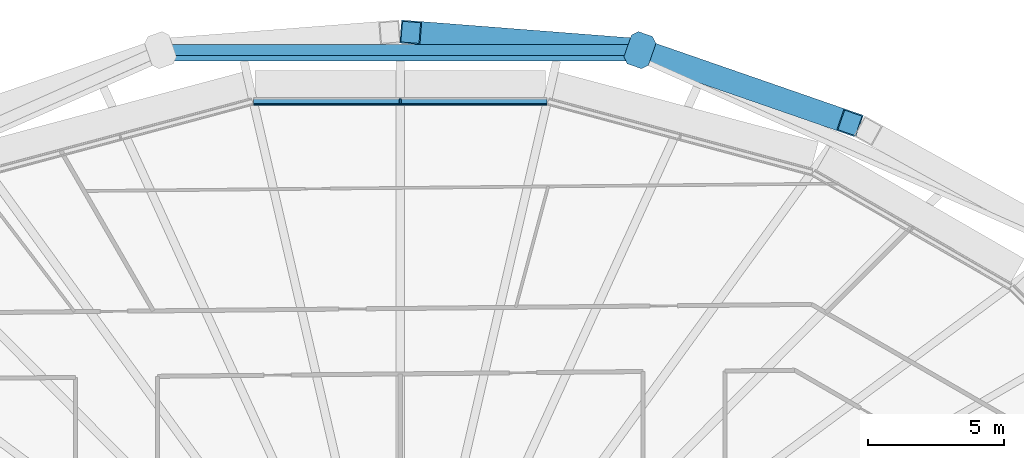
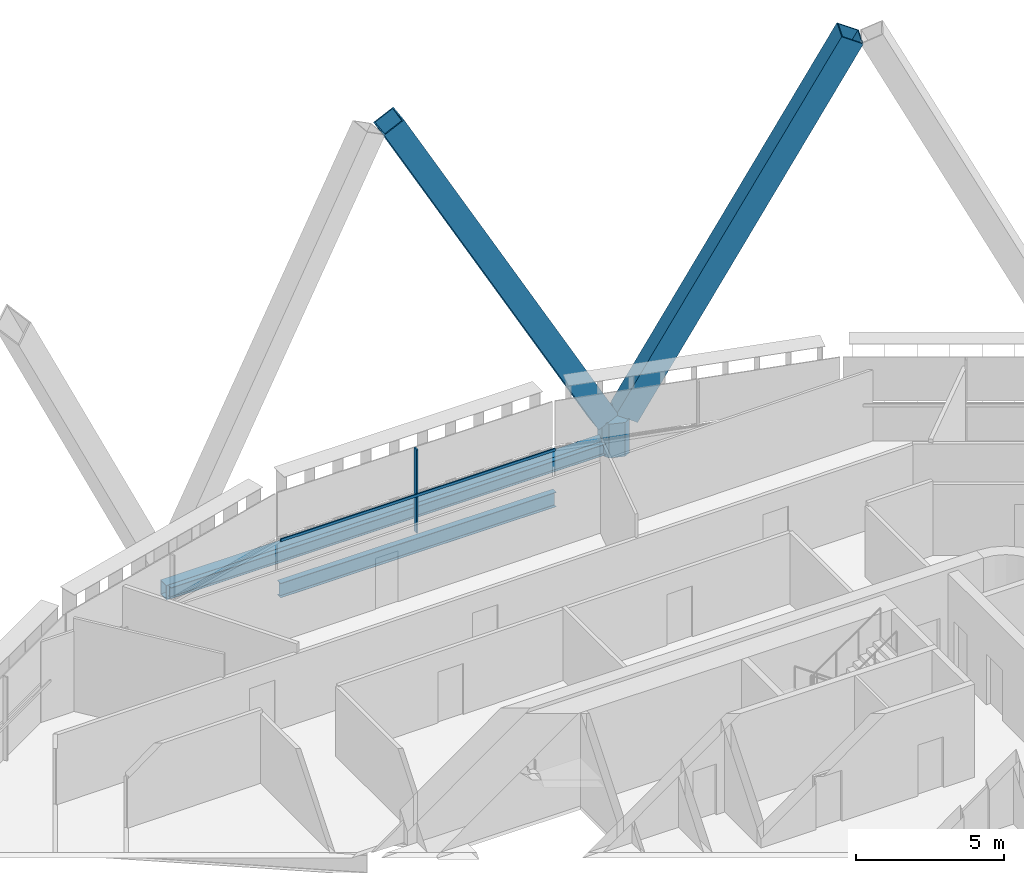
# One storey, part 10 of 25: 5 members, 3 beams, 1 element without a shape of its own.
"""IFC4 building model written with IfcOpenShell, lengths in metres."""

import ifcopenshell
import ifcopenshell.guid

model = None  # the IFC model being written
_history = None  # IfcOwnerHistory: only IFC2X3 demands one
_inside = {}  # id of a spatial element -> (the spatial element, [elements in it])
_under = {}  # id of a project, library or spatial element -> (it, [spatial elements below it])
_declared = {}  # id of a project -> (the project, [libraries it declares])
_typed = {}  # id of a type object -> (the type object, [elements of that type])
_made_of = {}  # id of a material, layer set ... -> (it, [elements and type objects made of it])


def new_model(schema):
    """Start an empty IFC model of exactly this schema.

    Asked for "IFC4X3", IfcOpenShell would pick the latest addendum, in which some entities
    have other attributes; the version numbers below select the first issue.
    IFC2X3 requires an IfcOwnerHistory on every rooted entity: one is made here for all.
    """
    global model, _history
    if schema == "IFC4X3":
        model = ifcopenshell.file(schema_version=(4, 3, 0, 0))
    else:
        model = ifcopenshell.file(schema=schema)
    _inside.clear()
    _under.clear()
    _declared.clear()
    _typed.clear()
    _made_of.clear()
    _history = None
    if model.schema == "IFC2X3":
        org = make("IfcOrganization", Name="unknown")
        user = make(
            "IfcPersonAndOrganization",
            ThePerson=make("IfcPerson", FamilyName="unknown"),
            TheOrganization=org,
        )
        app = make(
            "IfcApplication",
            ApplicationDeveloper=org,
            Version="unknown",
            ApplicationFullName="unknown",
            ApplicationIdentifier="unknown",
        )
        _history = make(
            "IfcOwnerHistory",
            OwningUser=user,
            OwningApplication=app,
            ChangeAction="ADDED",
            CreationDate=0,
        )
    return model


def make(cls, **values):
    """One entity of the class cls with the attributes given. An attribute that is None is left unset."""
    return model.create_entity(
        cls, **{name: value for name, value in values.items() if value is not None}
    )


def rooted(cls, **values):
    """An entity with a GlobalId (a new one), such as an element, a storey or a relation."""
    return make(cls, GlobalId=ifcopenshell.guid.new(), OwnerHistory=_history, **values)


def si_unit(unit_type, name, prefix=None):
    """IfcSIUnit, for example si_unit("LENGTHUNIT", "METRE", prefix="MILLI")."""
    return make("IfcSIUnit", UnitType=unit_type, Prefix=prefix, Name=name)


def assignment(units):
    """IfcUnitAssignment: the units of a project."""
    return None if units is None else make("IfcUnitAssignment", Units=units)


def point(xyz):
    """IfcCartesianPoint."""
    return None if xyz is None else make("IfcCartesianPoint", Coordinates=xyz)


def direction(xyz):
    """IfcDirection."""
    return None if xyz is None else make("IfcDirection", DirectionRatios=xyz)


def frame(location, z_axis=None, x_axis=None):
    """IfcAxis2Placement3D, a coordinate frame: its origin and axes. An axis left out is left unset."""
    return make(
        "IfcAxis2Placement3D",
        Location=point(location),
        Axis=direction(z_axis),
        RefDirection=direction(x_axis),
    )


def frame_2d(location, x_axis=None):
    """IfcAxis2Placement2D, a coordinate frame in the plane: its origin and x axis."""
    return make(
        "IfcAxis2Placement2D", Location=point(location), RefDirection=direction(x_axis)
    )


def origin():
    """The frame at (0, 0, 0) with its axes left unset."""
    return frame((0.0, 0.0, 0.0))


def origin_2d():
    """The frame at (0, 0) in the plane with its x axis left unset."""
    return frame_2d((0.0, 0.0))


def place(relative_to, where):
    """IfcLocalPlacement: puts the frame where relative to a parent placement (None: the world)."""
    return make(
        "IfcLocalPlacement", PlacementRelTo=relative_to, RelativePlacement=where
    )


def context(
    kind, dimensions, precision=None, world=None, true_north=None, identifier=None
):
    """IfcGeometricRepresentationContext, for example the 3D "Model" context."""
    return make(
        "IfcGeometricRepresentationContext",
        ContextIdentifier=identifier,
        ContextType=kind,
        CoordinateSpaceDimension=dimensions,
        Precision=precision,
        WorldCoordinateSystem=world,
        TrueNorth=true_north,
    )


def subcontext(parent, identifier, kind, view, scale=None):
    """IfcGeometricRepresentationSubContext, for example "Body" below "Model"."""
    return make(
        "IfcGeometricRepresentationSubContext",
        ContextIdentifier=identifier,
        ContextType=kind,
        ParentContext=parent,
        TargetScale=scale,
        TargetView=view,
    )


def project(units=None, contexts=None):
    """IfcProject with its units and contexts."""
    return rooted(
        "IfcProject",
        Name="project",
        RepresentationContexts=contexts,
        UnitsInContext=assignment(units),
    )


def spatial(cls, under=None, at=None, **own):
    """A site, building, storey or space (cls), placed at a placement, below another one or the project."""
    s = rooted(cls, ObjectPlacement=at, **own)
    if under is not None:
        _under.setdefault(under.id(), (under, []))[1].append(s)
    return s


def polyline(points):
    """IfcPolyline through the points."""
    return make("IfcPolyline", Points=[point(p) for p in points])


def profile(cls, at=None, kind="AREA", **sizes):
    """A parametric profile (cls). Its sizes go by their IFC names, for example OverallWidth=200.0."""
    return make(cls, ProfileType=kind, Position=at, **sizes)


def rectangle(**sizes):
    """IfcRectangleProfileDef."""
    return profile("IfcRectangleProfileDef", **sizes)


def hollow_rectangle(**sizes):
    """IfcRectangleHollowProfileDef."""
    return profile("IfcRectangleHollowProfileDef", **sizes)


def i_section(**sizes):
    """IfcIShapeProfileDef."""
    return profile("IfcIShapeProfileDef", **sizes)


def outline(outer, holes=None, kind="AREA"):
    """IfcArbitraryClosedProfileDef: a profile drawn as a closed curve; with holes, ...WithVoids."""
    if holes is None:
        return make("IfcArbitraryClosedProfileDef", ProfileType=kind, OuterCurve=outer)
    return make(
        "IfcArbitraryProfileDefWithVoids",
        ProfileType=kind,
        OuterCurve=outer,
        InnerCurves=holes,
    )


def extrude(swept, where, along, depth):
    """IfcExtrudedAreaSolid: the profile swept, set in the frame where, extruded along a direction by depth."""
    return make(
        "IfcExtrudedAreaSolid",
        SweptArea=swept,
        Position=where,
        ExtrudedDirection=direction(along),
        Depth=depth,
    )


def shape(context_of_items, identifier, shape_type, items):
    """IfcShapeRepresentation: the items that make up one representation, for example the "Body"."""
    return make(
        "IfcShapeRepresentation",
        ContextOfItems=context_of_items,
        RepresentationIdentifier=identifier,
        RepresentationType=shape_type,
        Items=items,
    )


def material(Name=None, Category=None):
    """IfcMaterial."""
    return make("IfcMaterial", Name=Name, Category=Category)


def layer(
    of_material, thickness, ventilated=None, Name=None, Category=None, Priority=None
):
    """IfcMaterialLayer: one layer of a wall or slab, of a material (None: an air gap)."""
    return make(
        "IfcMaterialLayer",
        Material=of_material,
        LayerThickness=thickness,
        IsVentilated=ventilated,
        Name=Name,
        Category=Category,
        Priority=Priority,
    )


def layer_set(layers, Name=None):
    """IfcMaterialLayerSet."""
    return make("IfcMaterialLayerSet", MaterialLayers=layers, LayerSetName=Name)


def material_profile(
    of_material, cross_section, Name=None, Category=None, Priority=None
):
    """IfcMaterialProfile: a cross section and its material."""
    return make(
        "IfcMaterialProfile",
        Name=Name,
        Material=of_material,
        Profile=cross_section,
        Priority=Priority,
        Category=Category,
    )


def profile_set(profiles, Name=None, composite=None):
    """IfcMaterialProfileSet."""
    return make(
        "IfcMaterialProfileSet",
        Name=Name,
        MaterialProfiles=profiles,
        CompositeProfile=composite,
    )


def made_of(thing, what):
    """Note that an element or type object is made of a material, layer set ...; save() writes the relation."""
    if what is not None:
        _made_of.setdefault(what.id(), (what, []))[1].append(thing)
    return thing


def type_object(cls, material=None, **own):
    """A type object (cls), such as IfcWallType, which elements share."""
    return made_of(rooted(cls, **own), material)


def element(
    cls,
    number,
    at=None,
    inside=None,
    cuts=None,
    type_object=None,
    material=None,
    context=None,
    identifier="Body",
    shape_type=None,
    held_by="IfcProductDefinitionShape",
    body=None,
    shapes=None,
    **own,
):
    """One element of the class cls, such as IfcWall. Its Tag is "e" and its number.

    at: its placement. inside: the storey or other place that contains it. cuts: it is an
    opening in that element (IfcRelVoidsElement). A single representation is given by context,
    identifier, shape_type and body (its items); several are given by shapes. held_by: the class
    of the entity that holds the representations. save() writes the other relations.
    """
    e = rooted(cls, Tag="e%d" % number, ObjectPlacement=at, **own)
    if body is not None:
        shapes = [shape(context, identifier, shape_type, body)]
    if shapes is not None:
        e.Representation = make(held_by, Representations=shapes)
    if inside is not None:
        _inside.setdefault(inside.id(), (inside, []))[1].append(e)
    if cuts is not None:
        rooted(
            "IfcRelVoidsElement", RelatingBuildingElement=cuts, RelatedOpeningElement=e
        )
    if type_object is not None:
        _typed.setdefault(type_object.id(), (type_object, []))[1].append(e)
    return made_of(e, material)


def aggregate(whole, parts):
    """IfcRelAggregates: a whole, such as a stair, and the parts it consists of."""
    return rooted("IfcRelAggregates", RelatingObject=whole, RelatedObjects=parts)


def save(model, path):
    """Write the relations noted so far, then the file.

    IfcRelAggregates (storeys below a building ...), IfcRelContainedInSpatialStructure (elements
    in a storey), IfcRelDefinesByType, IfcRelAssociatesMaterial and IfcRelDeclares: one each for
    every whole, place, type object, material and project.
    """
    for whole, parts in _under.values():
        aggregate(whole, parts)
    for where, things in _inside.values():
        rooted(
            "IfcRelContainedInSpatialStructure",
            RelatedElements=things,
            RelatingStructure=where,
        )
    for kind, things in _typed.values():
        rooted("IfcRelDefinesByType", RelatedObjects=things, RelatingType=kind)
    for what, things in _made_of.values():
        rooted("IfcRelAssociatesMaterial", RelatedObjects=things, RelatingMaterial=what)
    for by, libraries in _declared.values():
        rooted("IfcRelDeclares", RelatingContext=by, RelatedDefinitions=libraries)
    model.write(path)


model = new_model("IFC4")

# Units and contexts
model_context = context("Model", 3, precision=1e-05, world=origin(), true_north=direction((0.0, 1.0)))
body_context = subcontext(model_context, "Body", "Model", "MODEL_VIEW")
ifc_project = project(units=[si_unit("LENGTHUNIT", "METRE"), si_unit("AREAUNIT", "SQUARE_METRE"), si_unit("VOLUMEUNIT", "CUBIC_METRE"), si_unit("PLANEANGLEUNIT", "RADIAN"), si_unit("MASSUNIT", "GRAM", prefix="KILO")], contexts=[model_context])

# Site, building, storey
site_placement = place(None, origin())
site = spatial("IfcSite", under=ifc_project, at=site_placement, CompositionType="ELEMENT")
building_placement = place(site_placement, origin())
building = spatial("IfcBuilding", under=site, at=building_placement, Name="Sahrelin Media Tower", CompositionType="ELEMENT")
storey_placement = place(building_placement, frame((0.0, 0.0, 165.60009765625)))
storey = spatial("IfcBuildingStorey", under=building, at=storey_placement, Name="L34", CompositionType="ELEMENT", Elevation=165.60009765625)

# Members
ifc_material_1 = material(Name="Steel S460", Category="steel")
ifc_material_profile_1 = material_profile(ifc_material_1, hollow_rectangle(XDim=0.85009765625, YDim=0.85009765625, WallThickness=0.044921875, at=origin_2d()), Name="Diagrid diagonal DG4")
ifc_profile_set_1 = profile_set([ifc_material_profile_1], Name="Steel S460")
member_type_1 = type_object("IfcMemberType", Name="Diagrid diagonal DG4", PredefinedType="BRACE", material=ifc_profile_set_1)
member_1_placement = place(storey_placement, frame((9.1396484375, 25.119873046875, 0.699951171875), z_axis=(0.444249125914, -0.153932373784, 0.882580046469), x_axis=(0.327402724383, 0.944884890379, 0.0)))
element("IfcMember", 1, at=member_1_placement, inside=storey, type_object=member_type_1, Name="Diagrid diagonal D07-04", PredefinedType="BRACE", context=body_context, shape_type="SweptSolid", body=[
    extrude(hollow_rectangle(XDim=0.85009765625, YDim=0.85009765625, WallThickness=0.044921875, at=origin_2d()), origin(), (0.0, 0.0, 1.0), 16.542236328125),
])
member_2_placement = place(storey_placement, frame((8.40283203125, 25.27197265625, 0.699951171875), z_axis=(-0.481047433854, 0.037364187308, 0.875897987148), x_axis=(-0.077439317921, -0.996997067217, 0.0)))
element("IfcMember", 2, at=member_2_placement, inside=storey, type_object=member_type_1, Name="Diagrid diagonal D07-05", PredefinedType="BRACE", context=body_context, shape_type="SweptSolid", body=[
    extrude(hollow_rectangle(XDim=0.85009765625, YDim=0.85009765625, WallThickness=0.044921875, at=origin_2d()), origin(), (0.0, 0.0, 1.0), 16.66845703125),
])
ifc_material_profile_2 = material_profile(ifc_material_1, outline(polyline([(0.425048828125, -0.47509765625), (0.625, -0.27490234375), (0.625, 0.27490234375), (0.425048828125, 0.47509765625), (-0.425048828125, 0.47509765625), (-0.625, 0.27490234375), (-0.625, -0.27490234375), (-0.425048828125, -0.47509765625), (0.425048828125, -0.47509765625)])), Name="Diagrid node block 1250")
ifc_profile_set_2 = profile_set([ifc_material_profile_2], Name="Steel S460")
member_type_2 = type_object("IfcMemberType", Name="Diagrid node block 1250", PredefinedType="USERDEFINED", material=ifc_profile_set_2)
member_3_placement = place(storey_placement, frame((8.787353515625, 25.241943359375, -0.7001953125), z_axis=(0.0, 0.0, 1.0), x_axis=(0.328769398381, 0.944410230085, 0.0)))
element("IfcMember", 3, at=member_3_placement, inside=storey, type_object=member_type_2, Name="Diagrid node N07-02", ObjectType="NODE", PredefinedType="USERDEFINED", context=body_context, shape_type="SweptSolid", body=[
    extrude(outline(polyline([(0.425048828125, -0.47509765625), (0.625, -0.27490234375), (0.625, 0.27490234375), (0.425048828125, 0.47509765625), (-0.425048828125, 0.47509765625), (-0.625, 0.27490234375), (-0.625, -0.27490234375), (-0.425048828125, -0.47509765625), (0.425048828125, -0.47509765625)])), origin(), (0.0, 0.0, 1.0), 1.400146484375),
])

# Beams
ifc_material_profile_3 = material_profile(ifc_material_1, hollow_rectangle(XDim=0.39990234375, YDim=0.60009765625, WallThickness=0.030029296875, at=origin_2d()), Name="Diagrid ring beam RB1")
ifc_profile_set_3 = profile_set([ifc_material_profile_3], Name="Steel S460")
beam_type_1 = type_object("IfcBeamType", Name="Diagrid ring beam RB1", PredefinedType="BEAM", material=ifc_profile_set_3)
beam_1_placement = place(storey_placement, frame((8.787353515625, 25.241943359375, -0.4501953125), z_axis=(-1.0, 0.0, 0.0), x_axis=(0.0, -1.0, 0.0)))
element("IfcBeam", 4, at=beam_1_placement, inside=storey, type_object=beam_type_1, Name="Diagrid ring beam RB07-02", PredefinedType="BEAM", context=body_context, shape_type="SweptSolid", body=[
    extrude(hollow_rectangle(XDim=0.39990234375, YDim=0.60009765625, WallThickness=0.030029296875, at=origin_2d()), origin(), (0.0, 0.0, 1.0), 17.57470703125),
])
ifc_material_2 = material(Name="Steel S355", Category="steel")
ifc_material_profile_4 = material_profile(ifc_material_2, i_section(OverallWidth=0.2275390625, OverallDepth=0.6025390625, WebThickness=0.010498046875, FlangeThickness=0.014892578125, FilletRadius=0.0126953125, at=origin_2d()), Name="UB 610x229x101")
ifc_profile_set_4 = profile_set([ifc_material_profile_4], Name="Steel S355")
beam_type_2 = type_object("IfcBeamType", Name="Edge beam EB7", PredefinedType="BEAM", material=ifc_profile_set_4)
beam_2_placement = place(storey_placement, frame((-5.382568359375, 23.33056640625, -0.451416015625), z_axis=(1.0, 0.0, 0.0), x_axis=(0.0, 1.0, 0.0)))
element("IfcBeam", 5, at=beam_2_placement, inside=storey, type_object=beam_type_2, Name="Edge beam L34-19", PredefinedType="BEAM", context=body_context, shape_type="SweptSolid", body=[
    extrude(i_section(OverallWidth=0.2275390625, OverallDepth=0.6025390625, WebThickness=0.010498046875, FlangeThickness=0.014892578125, FilletRadius=0.0126953125, at=origin_2d()), origin(), (0.0, 0.0, 1.0), 10.76513671875),
])

# Curtain wall, member
ifc_material_3 = material(Name="Champagne anodised aluminium 6063-T6", Category="aluminium")
ifc_layer = layer(ifc_material_3, 0.14990234375)
ifc_layer_set = layer_set([ifc_layer], Name="Tower ribbon curtain wall")
curtain_wall_type = type_object("IfcCurtainWallType", Name="Tower ribbon curtain wall", PredefinedType="NOTDEFINED", material=ifc_layer_set)
curtain_wall_placement = place(storey_placement, frame((0.0, 23.480712890625, 0.0), z_axis=(0.0, 0.0, 1.0), x_axis=(1.0, 0.0, 0.0)))
curtain_wall = element("IfcCurtainWall", 6, at=curtain_wall_placement, inside=storey, type_object=curtain_wall_type, Name="L34:CW:L34-06", PredefinedType="NOTDEFINED")
ifc_material_profile_5 = material_profile(ifc_material_3, rectangle(XDim=0.06005859375, YDim=0.175048828125, at=origin_2d()), Name="Mullion 60x175")
ifc_profile_set_5 = profile_set([ifc_material_profile_5], Name="Champagne anodised aluminium 6063-T6")
member_type_3 = type_object("IfcMemberType", Name="Mullion 60x175 CW1B", PredefinedType="MULLION", material=ifc_profile_set_5)
member_4_placement = place(storey_placement, frame((0.0, 23.373046875, 0.0), z_axis=(0.0, 0.0, 1.0), x_axis=(-1.0, 0.0, 0.0)))
member_4 = element("IfcMember", 7, at=member_4_placement, type_object=member_type_3, Name="L34:CWM:L34-06", PredefinedType="MULLION", context=body_context, shape_type="SweptSolid", body=[
    extrude(rectangle(XDim=0.06005859375, YDim=0.175048828125, at=origin_2d()), origin(), (0.0, 0.0, 1.0), 3.448486328125),
])

# Beam
ifc_material_profile_6 = material_profile(ifc_material_2, i_section(OverallWidth=0.1904296875, OverallDepth=0.45703125, WebThickness=0.009033203125, FlangeThickness=0.014404296875, FilletRadius=0.01025390625, at=origin_2d()), Name="UB 457x191x74")
ifc_profile_set_6 = profile_set([ifc_material_profile_6], Name="Steel S355")
beam_type_3 = type_object("IfcBeamType", Name="Tie chord TC5", PredefinedType="BEAM", material=ifc_profile_set_6)
beam_3_placement = place(storey_placement, frame((-8.7236328125, 24.94189453125, -0.378662109375), z_axis=(1.0, 0.0, 0.0), x_axis=(0.0, 1.0, 0.0)))
element("IfcBeam", 8, at=beam_3_placement, inside=storey, type_object=beam_type_3, Name="Tie chord L34-10", PredefinedType="BEAM", context=body_context, shape_type="SweptSolid", body=[
    extrude(i_section(OverallWidth=0.1904296875, OverallDepth=0.45703125, WebThickness=0.009033203125, FlangeThickness=0.014404296875, FilletRadius=0.01025390625, at=origin_2d()), origin(), (0.0, 0.0, 1.0), 17.447265625),
])

# Member
ifc_material_profile_7 = material_profile(ifc_material_3, rectangle(XDim=0.050048828125, YDim=0.110107421875, at=origin_2d()), Name="Transom 50x110")
ifc_profile_set_7 = profile_set([ifc_material_profile_7], Name="Champagne anodised aluminium 6063-T6")
member_type_4 = type_object("IfcMemberType", Name="Transom 50x110 CW1B", PredefinedType="USERDEFINED", material=ifc_profile_set_7)
member_5_placement = place(storey_placement, frame((5.36669921875, 23.260498046875, 1.599853515625), z_axis=(-1.0, 0.0, 0.0), x_axis=(0.0, -1.0, 0.0)))
member_5 = element("IfcMember", 9, at=member_5_placement, type_object=member_type_4, Name="L34:CWT:L34-06", ObjectType="TRANSOM", PredefinedType="USERDEFINED", context=body_context, shape_type="SweptSolid", body=[
    extrude(rectangle(XDim=0.050048828125, YDim=0.110107421875, at=origin_2d()), origin(), (0.0, 0.0, 1.0), 10.7333984375),
])

aggregate(curtain_wall, [member_4, member_5])

save(model, "model.ifc")
